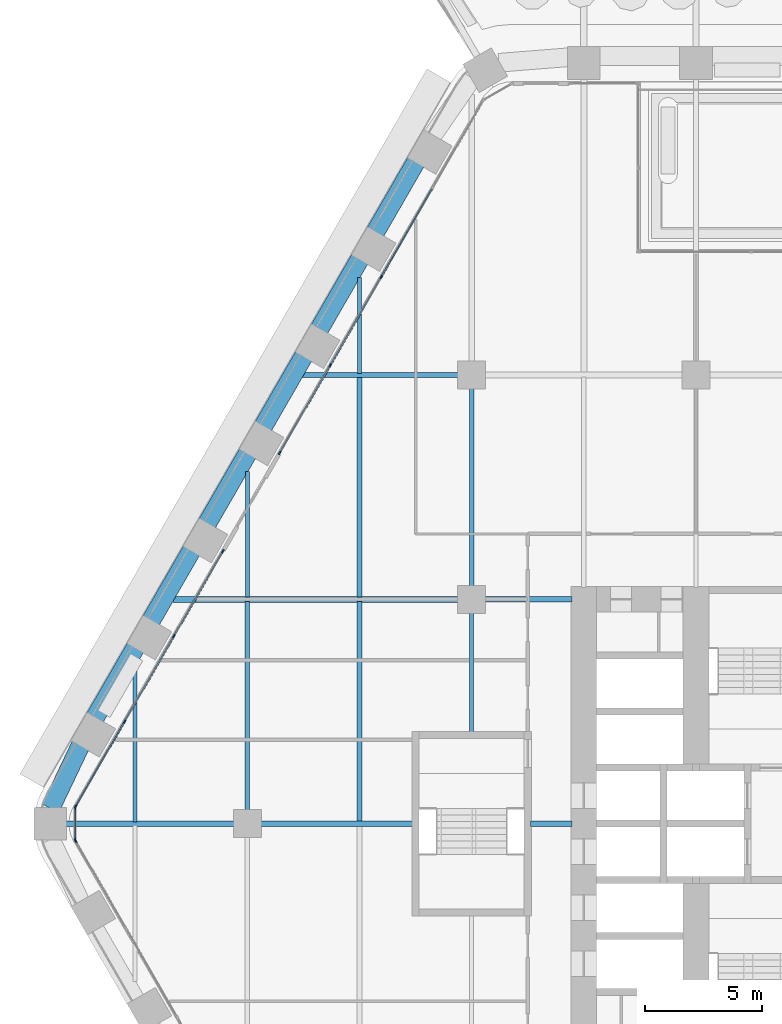
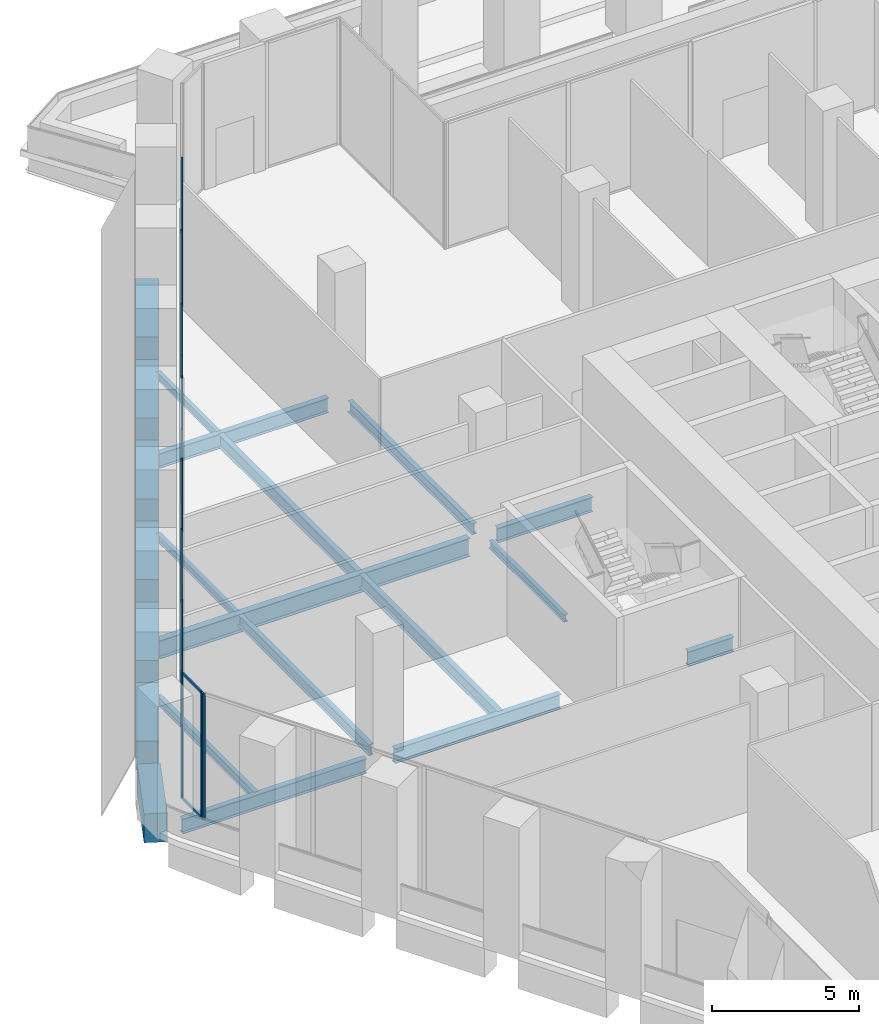
# One storey, part 7 of 30: 24 members, 21 beams, 4 elements without a shape of their own.
"""IFC4 building model written with IfcOpenShell, lengths in metres."""

from ifc_helpers import new_model, si_unit, direction, frame, origin, origin_2d, place, context, subcontext, project, spatial, rectangle, i_section, extrude, material, material_profile, profile_set, type_object, element, aggregate, save


model = new_model("IFC4")

# Units and contexts
model_context = context("Model", 3, precision=1e-05, world=origin(), true_north=direction((0.0, 1.0)))
body_context = subcontext(model_context, "Body", "Model", "MODEL_VIEW")
ifc_project = project(units=[si_unit("LENGTHUNIT", "METRE"), si_unit("AREAUNIT", "SQUARE_METRE"), si_unit("VOLUMEUNIT", "CUBIC_METRE"), si_unit("PLANEANGLEUNIT", "RADIAN"), si_unit("MASSUNIT", "GRAM", prefix="KILO")], contexts=[model_context])

# Site, building, storey
site_placement = place(None, origin())
site = spatial("IfcSite", under=ifc_project, at=site_placement, CompositionType="ELEMENT")
building_placement = place(site_placement, origin())
building = spatial("IfcBuilding", under=site, at=building_placement, Name="Kolab Exchange Tower", CompositionType="ELEMENT")
storey_placement = place(building_placement, frame((0.0, 0.0, 38.89990234375)))
storey = spatial("IfcBuildingStorey", under=building, at=storey_placement, Name="L07", CompositionType="ELEMENT", Elevation=38.89990234375)

# Beams
ifc_material_1 = material(Name="Steel S355", Category="steel")
ifc_material_profile_1 = material_profile(ifc_material_1, i_section(OverallWidth=0.1650390625, OverallDepth=0.31005859375, WebThickness=0.005859375, FlangeThickness=0.009765625, at=origin_2d()), Name="W310X39")
ifc_profile_set_1 = profile_set([ifc_material_profile_1], Name="Steel S355")
beam_type_1 = type_object("IfcBeamType", Name="FLOOR BEAM W310X39", PredefinedType="BEAM", material=ifc_profile_set_1)
beam_1_placement = place(storey_placement, frame((-28.800048828125, 9.693603515625, -0.40478515625), z_axis=(0.0, 1.0, 0.0), x_axis=(-1.0, 0.0, 0.0)))
element("IfcBeam", 1, at=beam_1_placement, inside=storey, type_object=beam_type_1, Name="beam/L07/fr/005", PredefinedType="BEAM", context=body_context, shape_type="SweptSolid", body=[
    extrude(i_section(OverallWidth=0.1650390625, OverallDepth=0.31005859375, WebThickness=0.005859375, FlangeThickness=0.009765625, at=origin_2d()), origin(), (0.0, 0.0, 1.0), 5.3740234375),
])
beam_2_placement = place(storey_placement, frame((-24.0, 19.27392578125, -0.40478515625), z_axis=(0.0, 1.0, 0.0), x_axis=(-1.0, 0.0, 0.0)))
element("IfcBeam", 2, at=beam_2_placement, inside=storey, type_object=beam_type_1, Name="beam/L07/fr/011", PredefinedType="BEAM", context=body_context, shape_type="SweptSolid", body=[
    extrude(i_section(OverallWidth=0.1650390625, OverallDepth=0.31005859375, WebThickness=0.005859375, FlangeThickness=0.009765625, at=origin_2d()), origin(), (0.0, 0.0, 1.0), 4.107666015625),
])
beam_3_placement = place(storey_placement, frame((-19.199951171875, 3.909912109375, -0.40478515625), z_axis=(0.0, 1.0, 0.0), x_axis=(-1.0, 0.0, 0.0)))
element("IfcBeam", 3, at=beam_3_placement, inside=storey, type_object=beam_type_1, Name="beam/L07/fr/015", PredefinedType="BEAM", context=body_context, shape_type="SweptSolid", body=[
    extrude(i_section(OverallWidth=0.1650390625, OverallDepth=0.31005859375, WebThickness=0.005859375, FlangeThickness=0.009765625, at=origin_2d()), origin(), (0.0, 0.0, 1.0), 5.130126953125),
])
ifc_material_profile_2 = material_profile(ifc_material_1, i_section(OverallWidth=0.1708984375, OverallDepth=0.35498046875, WebThickness=0.007080078125, FlangeThickness=0.01171875, at=origin_2d()), Name="W360X51")
ifc_profile_set_2 = profile_set([ifc_material_profile_2], Name="Steel S355")
beam_type_2 = type_object("IfcBeamType", Name="FLOOR BEAM W360X51", PredefinedType="BEAM", material=ifc_profile_set_2)
beam_4_placement = place(storey_placement, frame((-33.60009765625, 0.073974609375, -0.427490234375), z_axis=(0.0, 1.0, 0.0), x_axis=(-1.0, 0.0, 0.0)))
element("IfcBeam", 4, at=beam_4_placement, inside=storey, type_object=beam_type_2, Name="beam/L07/fr/001", PredefinedType="BEAM", context=body_context, shape_type="SweptSolid", body=[
    extrude(i_section(OverallWidth=0.1708984375, OverallDepth=0.35498046875, WebThickness=0.007080078125, FlangeThickness=0.01171875, at=origin_2d()), origin(), (0.0, 0.0, 1.0), 6.679931640625),
])
ifc_material_profile_3 = material_profile(ifc_material_1, i_section(OverallWidth=0.18994140625, OverallDepth=0.45703125, WebThickness=0.009033203125, FlangeThickness=0.014404296875, at=origin_2d()), Name="W460X74")
ifc_profile_set_3 = profile_set([ifc_material_profile_3], Name="Steel S355")
beam_type_3 = type_object("IfcBeamType", Name="FLOOR BEAM W460X74", PredefinedType="BEAM", material=ifc_profile_set_3)
beam_5_placement = place(storey_placement, frame((-28.800048828125, 0.56005859375, -0.478515625), z_axis=(0.0, 1.0, 0.0), x_axis=(-1.0, 0.0, 0.0)))
element("IfcBeam", 5, at=beam_5_placement, inside=storey, type_object=beam_type_3, Name="beam/L07/fr/004", PredefinedType="BEAM", context=body_context, shape_type="SweptSolid", body=[
    extrude(i_section(OverallWidth=0.18994140625, OverallDepth=0.45703125, WebThickness=0.009033203125, FlangeThickness=0.014404296875, at=origin_2d()), origin(), (0.0, 0.0, 1.0), 8.946533203125),
])
beam_6_placement = place(storey_placement, frame((-19.199951171875, 10.159912109375, -0.478515625), z_axis=(0.0, 1.0, 0.0), x_axis=(-1.0, 0.0, 0.0)))
element("IfcBeam", 6, at=beam_6_placement, inside=storey, type_object=beam_type_3, Name="beam/L07/fr/016", PredefinedType="BEAM", context=body_context, shape_type="SweptSolid", body=[
    extrude(i_section(OverallWidth=0.18994140625, OverallDepth=0.45703125, WebThickness=0.009033203125, FlangeThickness=0.014404296875, at=origin_2d()), origin(), (0.0, 0.0, 1.0), 8.47998046875),
])
ifc_material_profile_4 = material_profile(ifc_material_1, i_section(OverallWidth=0.208984375, OverallDepth=0.532958984375, WebThickness=0.01025390625, FlangeThickness=0.015625, at=origin_2d()), Name="W530X92")
ifc_profile_set_4 = profile_set([ifc_material_profile_4], Name="Steel S355")
beam_type_4 = type_object("IfcBeamType", Name="FLOOR BEAM W530X92", PredefinedType="BEAM", material=ifc_profile_set_4)
beam_7_placement = place(storey_placement, frame((-24.0, 0.073974609375, -0.516357421875), z_axis=(0.0, 1.0, 0.0), x_axis=(-1.0, 0.0, 0.0)))
element("IfcBeam", 7, at=beam_7_placement, inside=storey, type_object=beam_type_4, Name="beam/L07/fr/009", PredefinedType="BEAM", context=body_context, shape_type="SweptSolid", body=[
    extrude(i_section(OverallWidth=0.208984375, OverallDepth=0.532958984375, WebThickness=0.01025390625, FlangeThickness=0.015625, at=origin_2d()), origin(), (0.0, 0.0, 1.0), 9.4326171875),
])
beam_8_placement = place(storey_placement, frame((-24.0, 9.693603515625, -0.516357421875), z_axis=(0.0, 1.0, 0.0), x_axis=(-1.0, 0.0, 0.0)))
element("IfcBeam", 8, at=beam_8_placement, inside=storey, type_object=beam_type_4, Name="beam/L07/fr/010", PredefinedType="BEAM", context=body_context, shape_type="SweptSolid", body=[
    extrude(i_section(OverallWidth=0.208984375, OverallDepth=0.532958984375, WebThickness=0.01025390625, FlangeThickness=0.015625, at=origin_2d()), origin(), (0.0, 0.0, 1.0), 9.432373046875),
])
ifc_material_profile_5 = material_profile(ifc_material_1, i_section(OverallWidth=0.22802734375, OverallDepth=0.60791015625, WebThickness=0.01123046875, FlangeThickness=0.017333984375, at=origin_2d()), Name="W610X113")
ifc_profile_set_5 = profile_set([ifc_material_profile_5], Name="Steel S355")
beam_type_5 = type_object("IfcBeamType", Name="FLOOR GIRDER W610X113", PredefinedType="BEAM", material=ifc_profile_set_5)
beam_9_placement = place(storey_placement, frame((-36.575927734375, 0.0, -0.553955078125), z_axis=(1.0, 0.0, 0.0), x_axis=(0.0, 1.0, 0.0)))
element("IfcBeam", 9, at=beam_9_placement, inside=storey, type_object=beam_type_5, Name="beam/L07/gd/000", PredefinedType="BEAM", context=body_context, shape_type="SweptSolid", body=[
    extrude(i_section(OverallWidth=0.22802734375, OverallDepth=0.60791015625, WebThickness=0.01123046875, FlangeThickness=0.017333984375, at=origin_2d()), origin(), (0.0, 0.0, 1.0), 7.2158203125),
])
beam_10_placement = place(storey_placement, frame((-28.239990234375, 0.0, -0.553955078125), z_axis=(1.0, 0.0, 0.0), x_axis=(0.0, 1.0, 0.0)))
element("IfcBeam", 10, at=beam_10_placement, inside=storey, type_object=beam_type_5, Name="beam/L07/gd/003", PredefinedType="BEAM", context=body_context, shape_type="SweptSolid", body=[
    extrude(i_section(OverallWidth=0.22802734375, OverallDepth=0.60791015625, WebThickness=0.01123046875, FlangeThickness=0.017333984375, at=origin_2d()), origin(), (0.0, 0.0, 1.0), 6.530029296875),
])
beam_11_placement = place(storey_placement, frame((-26.43115234375, 19.199951171875, -0.553955078125), z_axis=(1.0, 0.0, 0.0), x_axis=(0.0, 1.0, 0.0)))
element("IfcBeam", 11, at=beam_11_placement, inside=storey, type_object=beam_type_5, Name="beam/L07/gd/005", PredefinedType="BEAM", context=body_context, shape_type="SweptSolid", body=[
    extrude(i_section(OverallWidth=0.22802734375, OverallDepth=0.60791015625, WebThickness=0.01123046875, FlangeThickness=0.017333984375, at=origin_2d()), origin(), (0.0, 0.0, 1.0), 6.671142578125),
])
beam_12_placement = place(storey_placement, frame((-18.639892578125, 9.60009765625, -0.553955078125), z_axis=(1.0, 0.0, 0.0), x_axis=(0.0, 1.0, 0.0)))
element("IfcBeam", 12, at=beam_12_placement, inside=storey, type_object=beam_type_5, Name="beam/L07/gd/008", PredefinedType="BEAM", context=body_context, shape_type="SweptSolid", body=[
    extrude(i_section(OverallWidth=0.22802734375, OverallDepth=0.60791015625, WebThickness=0.01123046875, FlangeThickness=0.017333984375, at=origin_2d()), origin(), (0.0, 0.0, 1.0), 3.72998046875),
])
beam_13_placement = place(storey_placement, frame((-16.68994140625, 0.0, -0.553955078125), z_axis=(1.0, 0.0, 0.0), x_axis=(0.0, 1.0, 0.0)))
element("IfcBeam", 13, at=beam_13_placement, inside=storey, type_object=beam_type_5, Name="beam/L07/gd/010", PredefinedType="BEAM", context=body_context, shape_type="SweptSolid", body=[
    extrude(i_section(OverallWidth=0.22802734375, OverallDepth=0.60791015625, WebThickness=0.01123046875, FlangeThickness=0.017333984375, at=origin_2d()), origin(), (0.0, 0.0, 1.0), 1.780029296875),
])
ifc_material_profile_6 = material_profile(ifc_material_1, i_section(OverallWidth=0.26708984375, OverallDepth=0.761962890625, WebThickness=0.014404296875, FlangeThickness=0.021484375, at=origin_2d()), Name="W760X173")
ifc_profile_set_6 = profile_set([ifc_material_profile_6], Name="Steel S355")
beam_type_6 = type_object("IfcBeamType", Name="FLOOR GIRDER W760X173", PredefinedType="BEAM", material=ifc_profile_set_6)
beam_14_placement = place(storey_placement, frame((-31.9736328125, 9.60009765625, -0.630859375), z_axis=(1.0, 0.0, 0.0), x_axis=(0.0, 1.0, 0.0)))
element("IfcBeam", 14, at=beam_14_placement, inside=storey, type_object=beam_type_6, Name="beam/L07/gd/002", PredefinedType="BEAM", context=body_context, shape_type="SweptSolid", body=[
    extrude(i_section(OverallWidth=0.26708984375, OverallDepth=0.761962890625, WebThickness=0.014404296875, FlangeThickness=0.021484375, at=origin_2d()), origin(), (0.0, 0.0, 1.0), 12.213623046875),
])
ifc_material_2 = material(Name="Concrete C80/95", Category="concrete")
ifc_material_profile_7 = material_profile(ifc_material_2, rectangle(XDim=0.800048828125, YDim=1.199951171875, at=origin_2d()), Name="RC800X1200")
ifc_profile_set_7 = profile_set([ifc_material_profile_7], Name="Concrete C80/95")
beam_type_7 = type_object("IfcBeamType", Name="SPANDREL BEAM 800X1200 C80/95", PredefinedType="BEAM", material=ifc_profile_set_7)
beam_15_placement = place(storey_placement, frame((-37.219970703125, 0.663818359375, -0.849853515625), z_axis=(0.429555669245, 0.903040379507, 0.0), x_axis=(-0.903040379507, 0.429555669245, 0.0)))
element("IfcBeam", 15, at=beam_15_placement, inside=storey, type_object=beam_type_7, Name="beam/L07/sp/F6-01", PredefinedType="BEAM", context=body_context, shape_type="SweptSolid", body=[
    extrude(rectangle(XDim=0.800048828125, YDim=1.199951171875, at=origin_2d()), origin(), (0.0, 0.0, 1.0), 2.984375),
])
beam_16_placement = place(storey_placement, frame((-35.323486328125, 4.528564453125, -0.849853515625), z_axis=(0.500009906705, 0.86601968407, 0.0), x_axis=(-0.86601968407, 0.500009906705, 0.0)))
element("IfcBeam", 16, at=beam_16_placement, inside=storey, type_object=beam_type_7, Name="beam/L07/sp/F6-02", PredefinedType="BEAM", context=body_context, shape_type="SweptSolid", body=[
    extrude(rectangle(XDim=0.800048828125, YDim=1.199951171875, at=origin_2d()), origin(), (0.0, 0.0, 1.0), 3.47998046875),
])
for number, where, z_axis, x_axis, name in (
    (17, (-32.923583984375, 8.685302734375, -0.849853515625), (0.499979528911, 0.866037222451, 0.0), (-0.866037222451, 0.499979528911, 0.0), "beam/L07/sp/F6-03"),
    (18, (-30.523681640625, 12.84228515625, -0.849853515625), (0.499979528911, 0.866037222451, 0.0), (-0.866037222451, 0.499979528911, 0.0), "beam/L07/sp/F6-04"),
):
    element("IfcBeam", number, at=place(storey_placement, frame(where, z_axis=z_axis, x_axis=x_axis)), inside=storey, type_object=beam_type_7, Name=name, PredefinedType="BEAM", context=body_context, shape_type="SweptSolid", body=[
        extrude(rectangle(XDim=0.800048828125, YDim=1.199951171875, at=origin_2d()), origin(), (0.0, 0.0, 1.0), 3.480224609375),
    ])
for number, where, z_axis, x_axis, name in (
    (19, (-28.12353515625, 16.999267578125, -0.849853515625), (0.500009906705, 0.86601968407, 0.0), (-0.86601968407, 0.500009906705, 0.0), "beam/L07/sp/F6-05"),
    (20, (-25.7236328125, 21.15625, -0.849853515625), (0.500009906705, 0.86601968407, 0.0), (-0.86601968407, 0.500009906705, 0.0), "beam/L07/sp/F6-06"),
):
    element("IfcBeam", number, at=place(storey_placement, frame(where, z_axis=z_axis, x_axis=x_axis)), inside=storey, type_object=beam_type_7, Name=name, PredefinedType="BEAM", context=body_context, shape_type="SweptSolid", body=[
        extrude(rectangle(XDim=0.800048828125, YDim=1.199951171875, at=origin_2d()), origin(), (0.0, 0.0, 1.0), 3.47998046875),
    ])
beam_17_placement = place(storey_placement, frame((-23.323486328125, 25.31298828125, -0.849853515625), z_axis=(0.499979528911, 0.866037222451, 0.0), x_axis=(-0.866037222451, 0.499979528911, 0.0)))
element("IfcBeam", 21, at=beam_17_placement, inside=storey, type_object=beam_type_7, Name="beam/L07/sp/F6-07", PredefinedType="BEAM", context=body_context, shape_type="SweptSolid", body=[
    extrude(rectangle(XDim=0.800048828125, YDim=1.199951171875, at=origin_2d()), origin(), (0.0, 0.0, 1.0), 3.480224609375),
])

# Curtain wall, member
ifc_material_3 = material(Name="Aluminium EN AW-6063 T6", Category="aluminium")
curtain_wall_type = type_object("IfcCurtainWallType", Name="UNITISED LOW ZONE CURTAIN WALL", PredefinedType="NOTDEFINED", material=ifc_material_3)
curtain_wall_1_placement = place(storey_placement, origin())
curtain_wall_1 = element("IfcCurtainWall", 22, at=curtain_wall_1_placement, inside=storey, type_object=curtain_wall_type, Name="cw/L07/F5-2", PredefinedType="NOTDEFINED")
ifc_material_profile_8 = material_profile(ifc_material_3, rectangle(XDim=0.06005859375, YDim=0.159912109375, at=origin_2d()), Name="RECT 60X160")
ifc_profile_set_8 = profile_set([ifc_material_profile_8], Name="Aluminium EN AW-6063 T6")
member_type_1 = type_object("IfcMemberType", Name="UNITISED LOW ZONE MULLION 60 X 160", PredefinedType="MULLION", material=ifc_profile_set_8)
member_1_placement = place(storey_placement, frame((-36.150634765625, -0.736083984375, 0.0), z_axis=(0.0, 0.0, 1.0), x_axis=(-0.866025422102, -0.499999968274, 0.0)))
member_1 = element("IfcMember", 23, at=member_1_placement, type_object=member_type_1, Name="CW1 mullion 5", PredefinedType="MULLION", context=body_context, shape_type="SweptSolid", body=[
    extrude(rectangle(XDim=0.06005859375, YDim=0.159912109375, at=origin_2d()), origin(), (0.0, 0.0, 1.0), 5.25),
])
aggregate(curtain_wall_1, [member_1])

# Curtain wall, members
curtain_wall_2_placement = place(storey_placement, origin())
curtain_wall_2 = element("IfcCurtainWall", 24, at=curtain_wall_2_placement, inside=storey, type_object=curtain_wall_type, Name="cw/L07/F6-1", PredefinedType="NOTDEFINED")
member_2_placement = place(storey_placement, frame((-36.150634765625, 0.736083984375, 0.0), z_axis=(0.0, 0.0, 1.0), x_axis=(-0.866025427826, 0.499999958358, 0.0)))
member_2 = element("IfcMember", 25, at=member_2_placement, type_object=member_type_1, Name="CW1 mullion 1", PredefinedType="MULLION", context=body_context, shape_type="SweptSolid", body=[
    extrude(rectangle(XDim=0.06005859375, YDim=0.159912109375, at=origin_2d()), origin(), (0.0, 0.0, 1.0), 5.25),
])
member_3_placement = place(storey_placement, frame((-34.054443359375, 4.366943359375, 0.0), z_axis=(0.0, 0.0, 1.0), x_axis=(-0.866025427826, 0.499999958358, 0.0)))
member_3 = element("IfcMember", 26, at=member_3_placement, type_object=member_type_1, Name="CW1 mullion 2", PredefinedType="MULLION", context=body_context, shape_type="SweptSolid", body=[
    extrude(rectangle(XDim=0.06005859375, YDim=0.159912109375, at=origin_2d()), origin(), (0.0, 0.0, 1.0), 5.25),
])
member_4_placement = place(storey_placement, frame((-31.943115234375, 8.02392578125, 0.0), z_axis=(0.0, 0.0, 1.0), x_axis=(-0.866025427826, 0.499999958358, 0.0)))
member_4 = element("IfcMember", 27, at=member_4_placement, type_object=member_type_1, Name="CW1 mullion 3", PredefinedType="MULLION", context=body_context, shape_type="SweptSolid", body=[
    extrude(rectangle(XDim=0.06005859375, YDim=0.159912109375, at=origin_2d()), origin(), (0.0, 0.0, 1.0), 5.25),
])
member_5_placement = place(storey_placement, frame((-29.8466796875, 11.65478515625, 0.0), z_axis=(0.0, 0.0, 1.0), x_axis=(-0.866025427826, 0.499999958358, 0.0)))
member_5 = element("IfcMember", 28, at=member_5_placement, type_object=member_type_1, Name="CW1 mullion 4", PredefinedType="MULLION", context=body_context, shape_type="SweptSolid", body=[
    extrude(rectangle(XDim=0.06005859375, YDim=0.159912109375, at=origin_2d()), origin(), (0.0, 0.0, 1.0), 5.25),
])

curtain_wall_3_placement = place(storey_placement, origin())
curtain_wall_3 = element("IfcCurtainWall", 29, at=curtain_wall_3_placement, inside=storey, type_object=curtain_wall_type, Name="cw/L07/F6-2", PredefinedType="NOTDEFINED")
member_6_placement = place(storey_placement, frame((-27.416748046875, 15.86376953125, 0.0), z_axis=(0.0, 0.0, 1.0), x_axis=(-0.866025397318, 0.5000000112, 0.0)))
member_6 = element("IfcMember", 30, at=member_6_placement, type_object=member_type_1, Name="CW1 mullion 1", PredefinedType="MULLION", context=body_context, shape_type="SweptSolid", body=[
    extrude(rectangle(XDim=0.06005859375, YDim=0.159912109375, at=origin_2d()), origin(), (0.0, 0.0, 1.0), 5.25),
])
member_7_placement = place(storey_placement, frame((-25.248291015625, 19.61962890625, 0.0), z_axis=(0.0, 0.0, 1.0), x_axis=(-0.866025397318, 0.5000000112, 0.0)))
member_7 = element("IfcMember", 31, at=member_7_placement, type_object=member_type_1, Name="CW1 mullion 2", PredefinedType="MULLION", context=body_context, shape_type="SweptSolid", body=[
    extrude(rectangle(XDim=0.06005859375, YDim=0.159912109375, at=origin_2d()), origin(), (0.0, 0.0, 1.0), 5.25),
])
member_8_placement = place(storey_placement, frame((-23.064697265625, 23.401611328125, 0.0), z_axis=(0.0, 0.0, 1.0), x_axis=(-0.866025397318, 0.5000000112, 0.0)))
member_8 = element("IfcMember", 32, at=member_8_placement, type_object=member_type_1, Name="CW1 mullion 3", PredefinedType="MULLION", context=body_context, shape_type="SweptSolid", body=[
    extrude(rectangle(XDim=0.06005859375, YDim=0.159912109375, at=origin_2d()), origin(), (0.0, 0.0, 1.0), 5.25),
])

curtain_wall_4_placement = place(storey_placement, origin())
curtain_wall_4 = element("IfcCurtainWall", 33, at=curtain_wall_4_placement, inside=storey, type_object=curtain_wall_type, Name="cw/L07/F5F6-corner", PredefinedType="NOTDEFINED")
member_9_placement = place(storey_placement, frame((-36.165771484375, -0.679931640625, 0.0), z_axis=(0.0, 0.0, 1.0), x_axis=(-1.0, 0.0, 0.0)))
member_9 = element("IfcMember", 34, at=member_9_placement, type_object=member_type_1, Name="CW1 mullion 1", PredefinedType="MULLION", context=body_context, shape_type="SweptSolid", body=[
    extrude(rectangle(XDim=0.06005859375, YDim=0.159912109375, at=origin_2d()), origin(), (0.0, 0.0, 1.0), 5.25),
])
member_10_placement = place(storey_placement, frame((-36.165771484375, 0.679931640625, 0.0), z_axis=(0.0, 0.0, 1.0), x_axis=(-1.0, 0.0, 0.0)))
member_10 = element("IfcMember", 35, at=member_10_placement, type_object=member_type_1, Name="CW1 mullion 2", PredefinedType="MULLION", context=body_context, shape_type="SweptSolid", body=[
    extrude(rectangle(XDim=0.06005859375, YDim=0.159912109375, at=origin_2d()), origin(), (0.0, 0.0, 1.0), 5.25),
])

# Member
ifc_material_profile_9 = material_profile(ifc_material_3, rectangle(XDim=0.06005859375, YDim=0.10009765625, at=origin_2d()), Name="RECT 60X100")
ifc_profile_set_9 = profile_set([ifc_material_profile_9], Name="Aluminium EN AW-6063 T6")
member_type_2 = type_object("IfcMemberType", Name="UNITISED LOW ZONE TRANSOM 60 X 100", PredefinedType="USERDEFINED", material=ifc_profile_set_9)
member_11_placement = place(storey_placement, frame((-36.1357421875, 0.761962890625, 0.030029296875), z_axis=(0.500027577057, 0.866009481578, 0.0), x_axis=(-0.866009481578, 0.500027577057, 0.0)))
member_11 = element("IfcMember", 36, at=member_11_placement, type_object=member_type_2, Name="CW1 transom 1.1", ObjectType="TRANSOM", PredefinedType="USERDEFINED", context=body_context, shape_type="SweptSolid", body=[
    extrude(rectangle(XDim=0.06005859375, YDim=0.10009765625, at=origin_2d()), origin(), (0.0, 0.0, 1.0), 4.132568359375),
])

member_12_placement = place(storey_placement, frame((-36.1357421875, 0.761962890625, 5.22021484375), z_axis=(0.500027577057, 0.866009481578, 0.0), x_axis=(-0.866009481578, 0.500027577057, 0.0)))
member_12 = element("IfcMember", 37, at=member_12_placement, type_object=member_type_2, Name="CW1 transom 1.2", ObjectType="TRANSOM", PredefinedType="USERDEFINED", context=body_context, shape_type="SweptSolid", body=[
    extrude(rectangle(XDim=0.06005859375, YDim=0.10009765625, at=origin_2d()), origin(), (0.0, 0.0, 1.0), 4.132568359375),
])

member_13_placement = place(storey_placement, frame((-34.039306640625, 4.392822265625, 0.030029296875), z_axis=(0.49999322259, 0.866029316688, 0.0), x_axis=(-0.866029316688, 0.49999322259, 0.0)))
member_13 = element("IfcMember", 38, at=member_13_placement, type_object=member_type_2, Name="CW1 transom 2.1", ObjectType="TRANSOM", PredefinedType="USERDEFINED", context=body_context, shape_type="SweptSolid", body=[
    extrude(rectangle(XDim=0.06005859375, YDim=0.10009765625, at=origin_2d()), origin(), (0.0, 0.0, 1.0), 4.16259765625),
])

member_14_placement = place(storey_placement, frame((-34.039306640625, 4.392822265625, 5.22021484375), z_axis=(0.49999322259, 0.866029316688, 0.0), x_axis=(-0.866029316688, 0.49999322259, 0.0)))
member_14 = element("IfcMember", 39, at=member_14_placement, type_object=member_type_2, Name="CW1 transom 2.2", ObjectType="TRANSOM", PredefinedType="USERDEFINED", context=body_context, shape_type="SweptSolid", body=[
    extrude(rectangle(XDim=0.06005859375, YDim=0.10009765625, at=origin_2d()), origin(), (0.0, 0.0, 1.0), 4.16259765625),
])

member_15_placement = place(storey_placement, frame((-31.927978515625, 8.0498046875, 0.030029296875), z_axis=(0.500001996123, 0.866024251319, 0.0), x_axis=(-0.866024251319, 0.500001996123, 0.0)))
member_15 = element("IfcMember", 40, at=member_15_placement, type_object=member_type_2, Name="CW1 transom 3.1", ObjectType="TRANSOM", PredefinedType="USERDEFINED", context=body_context, shape_type="SweptSolid", body=[
    extrude(rectangle(XDim=0.06005859375, YDim=0.10009765625, at=origin_2d()), origin(), (0.0, 0.0, 1.0), 4.1328125),
])

member_16_placement = place(storey_placement, frame((-31.927978515625, 8.0498046875, 5.22021484375), z_axis=(0.500001996123, 0.866024251319, 0.0), x_axis=(-0.866024251319, 0.500001996123, 0.0)))
member_16 = element("IfcMember", 41, at=member_16_placement, type_object=member_type_2, Name="CW1 transom 3.2", ObjectType="TRANSOM", PredefinedType="USERDEFINED", context=body_context, shape_type="SweptSolid", body=[
    extrude(rectangle(XDim=0.06005859375, YDim=0.10009765625, at=origin_2d()), origin(), (0.0, 0.0, 1.0), 4.1328125),
])

aggregate(curtain_wall_2, [member_2, member_3, member_4, member_5, member_11, member_12, member_13, member_14, member_15, member_16])

member_17_placement = place(storey_placement, frame((-27.401611328125, 15.8896484375, 0.030029296875), z_axis=(0.499976099074, 0.866039202551, 0.0), x_axis=(-0.866039202551, 0.499976099074, 0.0)))
member_17 = element("IfcMember", 42, at=member_17_placement, type_object=member_type_2, Name="CW1 transom 1.1", ObjectType="TRANSOM", PredefinedType="USERDEFINED", context=body_context, shape_type="SweptSolid", body=[
    extrude(rectangle(XDim=0.06005859375, YDim=0.10009765625, at=origin_2d()), origin(), (0.0, 0.0, 1.0), 4.277099609375),
])

member_18_placement = place(storey_placement, frame((-27.401611328125, 15.8896484375, 5.22021484375), z_axis=(0.499976099074, 0.866039202551, 0.0), x_axis=(-0.866039202551, 0.499976099074, 0.0)))
member_18 = element("IfcMember", 43, at=member_18_placement, type_object=member_type_2, Name="CW1 transom 1.2", ObjectType="TRANSOM", PredefinedType="USERDEFINED", context=body_context, shape_type="SweptSolid", body=[
    extrude(rectangle(XDim=0.06005859375, YDim=0.10009765625, at=origin_2d()), origin(), (0.0, 0.0, 1.0), 4.277099609375),
])

member_19_placement = place(storey_placement, frame((-25.233154296875, 19.6455078125, 0.030029296875), z_axis=(0.500010313095, 0.866019449435, 0.0), x_axis=(-0.866019449435, 0.500010313095, 0.0)))
member_19 = element("IfcMember", 44, at=member_19_placement, type_object=member_type_2, Name="CW1 transom 2.1", ObjectType="TRANSOM", PredefinedType="USERDEFINED", context=body_context, shape_type="SweptSolid", body=[
    extrude(rectangle(XDim=0.06005859375, YDim=0.10009765625, at=origin_2d()), origin(), (0.0, 0.0, 1.0), 4.30712890625),
])

member_20_placement = place(storey_placement, frame((-25.233154296875, 19.6455078125, 5.22021484375), z_axis=(0.500010313095, 0.866019449435, 0.0), x_axis=(-0.866019449435, 0.500010313095, 0.0)))
member_20 = element("IfcMember", 45, at=member_20_placement, type_object=member_type_2, Name="CW1 transom 2.2", ObjectType="TRANSOM", PredefinedType="USERDEFINED", context=body_context, shape_type="SweptSolid", body=[
    extrude(rectangle(XDim=0.06005859375, YDim=0.10009765625, at=origin_2d()), origin(), (0.0, 0.0, 1.0), 4.30712890625),
])

member_21_placement = place(storey_placement, frame((-23.0498046875, 23.427490234375, 0.030029296875), z_axis=(0.500010313095, 0.866019449435, 0.0), x_axis=(-0.866019449435, 0.500010313095, 0.0)))
member_21 = element("IfcMember", 46, at=member_21_placement, type_object=member_type_2, Name="CW1 transom 3.1", ObjectType="TRANSOM", PredefinedType="USERDEFINED", context=body_context, shape_type="SweptSolid", body=[
    extrude(rectangle(XDim=0.06005859375, YDim=0.10009765625, at=origin_2d()), origin(), (0.0, 0.0, 1.0), 4.30712890625),
])

member_22_placement = place(storey_placement, frame((-23.0498046875, 23.427490234375, 5.22021484375), z_axis=(0.500010313095, 0.866019449435, 0.0), x_axis=(-0.866019449435, 0.500010313095, 0.0)))
member_22 = element("IfcMember", 47, at=member_22_placement, type_object=member_type_2, Name="CW1 transom 3.2", ObjectType="TRANSOM", PredefinedType="USERDEFINED", context=body_context, shape_type="SweptSolid", body=[
    extrude(rectangle(XDim=0.06005859375, YDim=0.10009765625, at=origin_2d()), origin(), (0.0, 0.0, 1.0), 4.30712890625),
])

aggregate(curtain_wall_3, [member_6, member_7, member_8, member_17, member_18, member_19, member_20, member_21, member_22])

member_23_placement = place(storey_placement, frame((-36.165771484375, -0.64990234375, 0.030029296875), z_axis=(0.0, 1.0, 0.0), x_axis=(-1.0, 0.0, 0.0)))
member_23 = element("IfcMember", 48, at=member_23_placement, type_object=member_type_2, Name="CW1 transom 1.1", ObjectType="TRANSOM", PredefinedType="USERDEFINED", context=body_context, shape_type="SweptSolid", body=[
    extrude(rectangle(XDim=0.06005859375, YDim=0.10009765625, at=origin_2d()), origin(), (0.0, 0.0, 1.0), 1.2998046875),
])

member_24_placement = place(storey_placement, frame((-36.165771484375, -0.64990234375, 5.22021484375), z_axis=(0.0, 1.0, 0.0), x_axis=(-1.0, 0.0, 0.0)))
member_24 = element("IfcMember", 49, at=member_24_placement, type_object=member_type_2, Name="CW1 transom 1.2", ObjectType="TRANSOM", PredefinedType="USERDEFINED", context=body_context, shape_type="SweptSolid", body=[
    extrude(rectangle(XDim=0.06005859375, YDim=0.10009765625, at=origin_2d()), origin(), (0.0, 0.0, 1.0), 1.2998046875),
])

aggregate(curtain_wall_4, [member_9, member_10, member_23, member_24])

save(model, "model.ifc")
